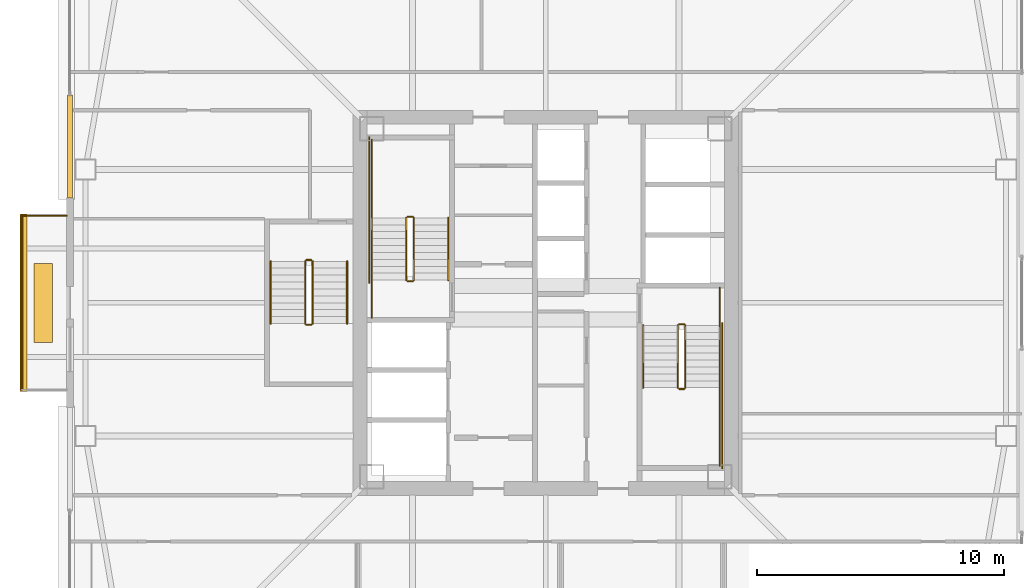
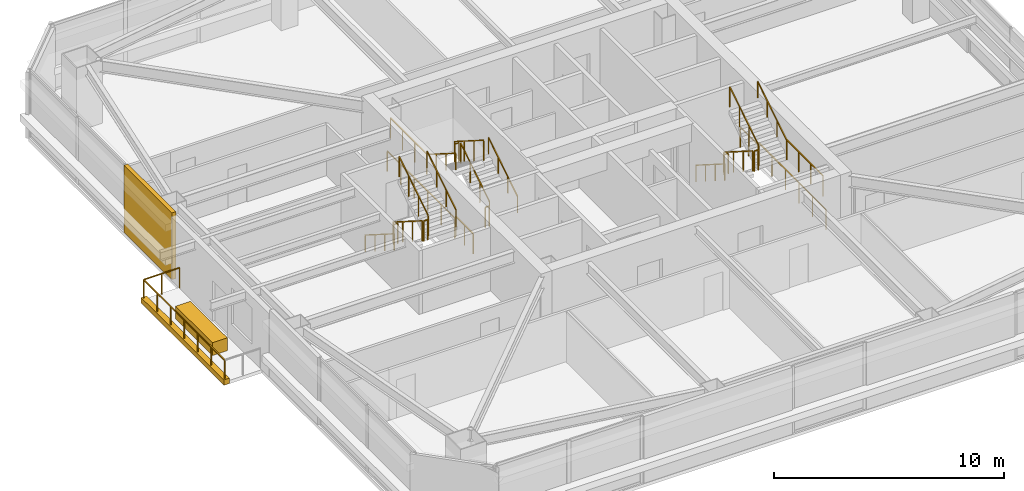
# One storey, part 40 of 44: 26 railings, 3 coverings.
"""IFC4 building model written with IfcOpenShell, lengths in metres."""

import ifcopenshell
import ifcopenshell.guid

model = None  # the IFC model being written
_history = None  # IfcOwnerHistory: only IFC2X3 demands one
_inside = {}  # id of a spatial element -> (the spatial element, [elements in it])
_under = {}  # id of a project, library or spatial element -> (it, [spatial elements below it])
_declared = {}  # id of a project -> (the project, [libraries it declares])
_typed = {}  # id of a type object -> (the type object, [elements of that type])
_made_of = {}  # id of a material, layer set ... -> (it, [elements and type objects made of it])


def new_model(schema):
    """Start an empty IFC model of exactly this schema.

    Asked for "IFC4X3", IfcOpenShell would pick the latest addendum, in which some entities
    have other attributes; the version numbers below select the first issue.
    IFC2X3 requires an IfcOwnerHistory on every rooted entity: one is made here for all.
    """
    global model, _history
    if schema == "IFC4X3":
        model = ifcopenshell.file(schema_version=(4, 3, 0, 0))
    else:
        model = ifcopenshell.file(schema=schema)
    _inside.clear()
    _under.clear()
    _declared.clear()
    _typed.clear()
    _made_of.clear()
    _history = None
    if model.schema == "IFC2X3":
        org = make("IfcOrganization", Name="unknown")
        user = make(
            "IfcPersonAndOrganization",
            ThePerson=make("IfcPerson", FamilyName="unknown"),
            TheOrganization=org,
        )
        app = make(
            "IfcApplication",
            ApplicationDeveloper=org,
            Version="unknown",
            ApplicationFullName="unknown",
            ApplicationIdentifier="unknown",
        )
        _history = make(
            "IfcOwnerHistory",
            OwningUser=user,
            OwningApplication=app,
            ChangeAction="ADDED",
            CreationDate=0,
        )
    return model


def make(cls, **values):
    """One entity of the class cls with the attributes given. An attribute that is None is left unset."""
    return model.create_entity(
        cls, **{name: value for name, value in values.items() if value is not None}
    )


def rooted(cls, **values):
    """An entity with a GlobalId (a new one), such as an element, a storey or a relation."""
    return make(cls, GlobalId=ifcopenshell.guid.new(), OwnerHistory=_history, **values)


def si_unit(unit_type, name, prefix=None):
    """IfcSIUnit, for example si_unit("LENGTHUNIT", "METRE", prefix="MILLI")."""
    return make("IfcSIUnit", UnitType=unit_type, Prefix=prefix, Name=name)


def assignment(units):
    """IfcUnitAssignment: the units of a project."""
    return None if units is None else make("IfcUnitAssignment", Units=units)


def point(xyz):
    """IfcCartesianPoint."""
    return None if xyz is None else make("IfcCartesianPoint", Coordinates=xyz)


def direction(xyz):
    """IfcDirection."""
    return None if xyz is None else make("IfcDirection", DirectionRatios=xyz)


def frame(location, z_axis=None, x_axis=None):
    """IfcAxis2Placement3D, a coordinate frame: its origin and axes. An axis left out is left unset."""
    return make(
        "IfcAxis2Placement3D",
        Location=point(location),
        Axis=direction(z_axis),
        RefDirection=direction(x_axis),
    )


def frame_2d(location, x_axis=None):
    """IfcAxis2Placement2D, a coordinate frame in the plane: its origin and x axis."""
    return make(
        "IfcAxis2Placement2D", Location=point(location), RefDirection=direction(x_axis)
    )


def origin():
    """The frame at (0, 0, 0) with its axes left unset."""
    return frame((0.0, 0.0, 0.0))


def origin_2d():
    """The frame at (0, 0) in the plane with its x axis left unset."""
    return frame_2d((0.0, 0.0))


def place(relative_to, where):
    """IfcLocalPlacement: puts the frame where relative to a parent placement (None: the world)."""
    return make(
        "IfcLocalPlacement", PlacementRelTo=relative_to, RelativePlacement=where
    )


def context(
    kind, dimensions, precision=None, world=None, true_north=None, identifier=None
):
    """IfcGeometricRepresentationContext, for example the 3D "Model" context."""
    return make(
        "IfcGeometricRepresentationContext",
        ContextIdentifier=identifier,
        ContextType=kind,
        CoordinateSpaceDimension=dimensions,
        Precision=precision,
        WorldCoordinateSystem=world,
        TrueNorth=true_north,
    )


def subcontext(parent, identifier, kind, view, scale=None):
    """IfcGeometricRepresentationSubContext, for example "Body" below "Model"."""
    return make(
        "IfcGeometricRepresentationSubContext",
        ContextIdentifier=identifier,
        ContextType=kind,
        ParentContext=parent,
        TargetScale=scale,
        TargetView=view,
    )


def project(units=None, contexts=None):
    """IfcProject with its units and contexts."""
    return rooted(
        "IfcProject",
        Name="project",
        RepresentationContexts=contexts,
        UnitsInContext=assignment(units),
    )


def spatial(cls, under=None, at=None, **own):
    """A site, building, storey or space (cls), placed at a placement, below another one or the project."""
    s = rooted(cls, ObjectPlacement=at, **own)
    if under is not None:
        _under.setdefault(under.id(), (under, []))[1].append(s)
    return s


def profile(cls, at=None, kind="AREA", **sizes):
    """A parametric profile (cls). Its sizes go by their IFC names, for example OverallWidth=200.0."""
    return make(cls, ProfileType=kind, Position=at, **sizes)


def rectangle(**sizes):
    """IfcRectangleProfileDef."""
    return profile("IfcRectangleProfileDef", **sizes)


def extrude(swept, where, along, depth):
    """IfcExtrudedAreaSolid: the profile swept, set in the frame where, extruded along a direction by depth."""
    return make(
        "IfcExtrudedAreaSolid",
        SweptArea=swept,
        Position=where,
        ExtrudedDirection=direction(along),
        Depth=depth,
    )


def shape(context_of_items, identifier, shape_type, items):
    """IfcShapeRepresentation: the items that make up one representation, for example the "Body"."""
    return make(
        "IfcShapeRepresentation",
        ContextOfItems=context_of_items,
        RepresentationIdentifier=identifier,
        RepresentationType=shape_type,
        Items=items,
    )


def material(Name=None, Category=None):
    """IfcMaterial."""
    return make("IfcMaterial", Name=Name, Category=Category)


def layer(
    of_material, thickness, ventilated=None, Name=None, Category=None, Priority=None
):
    """IfcMaterialLayer: one layer of a wall or slab, of a material (None: an air gap)."""
    return make(
        "IfcMaterialLayer",
        Material=of_material,
        LayerThickness=thickness,
        IsVentilated=ventilated,
        Name=Name,
        Category=Category,
        Priority=Priority,
    )


def layer_set(layers, Name=None):
    """IfcMaterialLayerSet."""
    return make("IfcMaterialLayerSet", MaterialLayers=layers, LayerSetName=Name)


def made_of(thing, what):
    """Note that an element or type object is made of a material, layer set ...; save() writes the relation."""
    if what is not None:
        _made_of.setdefault(what.id(), (what, []))[1].append(thing)
    return thing


def type_object(cls, material=None, **own):
    """A type object (cls), such as IfcWallType, which elements share."""
    return made_of(rooted(cls, **own), material)


def element(
    cls,
    number,
    at=None,
    inside=None,
    cuts=None,
    type_object=None,
    material=None,
    context=None,
    identifier="Body",
    shape_type=None,
    held_by="IfcProductDefinitionShape",
    body=None,
    shapes=None,
    **own,
):
    """One element of the class cls, such as IfcWall. Its Tag is "e" and its number.

    at: its placement. inside: the storey or other place that contains it. cuts: it is an
    opening in that element (IfcRelVoidsElement). A single representation is given by context,
    identifier, shape_type and body (its items); several are given by shapes. held_by: the class
    of the entity that holds the representations. save() writes the other relations.
    """
    e = rooted(cls, Tag="e%d" % number, ObjectPlacement=at, **own)
    if body is not None:
        shapes = [shape(context, identifier, shape_type, body)]
    if shapes is not None:
        e.Representation = make(held_by, Representations=shapes)
    if inside is not None:
        _inside.setdefault(inside.id(), (inside, []))[1].append(e)
    if cuts is not None:
        rooted(
            "IfcRelVoidsElement", RelatingBuildingElement=cuts, RelatedOpeningElement=e
        )
    if type_object is not None:
        _typed.setdefault(type_object.id(), (type_object, []))[1].append(e)
    return made_of(e, material)


def aggregate(whole, parts):
    """IfcRelAggregates: a whole, such as a stair, and the parts it consists of."""
    return rooted("IfcRelAggregates", RelatingObject=whole, RelatedObjects=parts)


def save(model, path):
    """Write the relations noted so far, then the file.

    IfcRelAggregates (storeys below a building ...), IfcRelContainedInSpatialStructure (elements
    in a storey), IfcRelDefinesByType, IfcRelAssociatesMaterial and IfcRelDeclares: one each for
    every whole, place, type object, material and project.
    """
    for whole, parts in _under.values():
        aggregate(whole, parts)
    for where, things in _inside.values():
        rooted(
            "IfcRelContainedInSpatialStructure",
            RelatedElements=things,
            RelatingStructure=where,
        )
    for kind, things in _typed.values():
        rooted("IfcRelDefinesByType", RelatedObjects=things, RelatingType=kind)
    for what, things in _made_of.values():
        rooted("IfcRelAssociatesMaterial", RelatedObjects=things, RelatingMaterial=what)
    for by, libraries in _declared.values():
        rooted("IfcRelDeclares", RelatingContext=by, RelatedDefinitions=libraries)
    model.write(path)


model = new_model("IFC4")

# Units and contexts
model_context = context("Model", 3, precision=1e-05, world=origin(), true_north=direction((0.0, 1.0)))
body_context = subcontext(model_context, "Body", "Model", "MODEL_VIEW")
ifc_project = project(units=[si_unit("LENGTHUNIT", "METRE"), si_unit("AREAUNIT", "SQUARE_METRE"), si_unit("VOLUMEUNIT", "CUBIC_METRE"), si_unit("PLANEANGLEUNIT", "RADIAN"), si_unit("MASSUNIT", "GRAM", prefix="KILO")], contexts=[model_context])

# Site, building, storey
site_placement = place(None, origin())
site = spatial("IfcSite", under=ifc_project, at=site_placement, CompositionType="ELEMENT")
building_placement = place(site_placement, origin())
building = spatial("IfcBuilding", under=site, at=building_placement, Name="Tashvorn Skyway Center", CompositionType="ELEMENT")
storey_placement = place(building_placement, frame((0.0, 0.0, 128.60009765625)))
storey = spatial("IfcBuildingStorey", under=building, at=storey_placement, Name="L34", CompositionType="ELEMENT", Elevation=128.60009765625)

# Coverings
ifc_material_1 = material(Name="Precast concrete C40/50", Category="concrete")
ifc_layer_1 = layer(ifc_material_1, 0.199951171875)
ifc_layer_set_1 = layer_set([ifc_layer_1], Name="Precast concrete C40/50")
covering_type_1 = type_object("IfcCoveringType", Name="COV-BRACE-CLAD", PredefinedType="CLADDING", material=ifc_layer_set_1)
covering_1_placement = place(storey_placement, frame((22.719970703125, 38.33837890625, 0.0), z_axis=(0.0, 0.0, 1.0), x_axis=(0.0, 1.0, 0.0)))
element("IfcCovering", 1, at=covering_1_placement, inside=storey, type_object=covering_type_1, Name="Tower 1 L34 West Curtain Wall R Mega-Brace Cladding Band 1", PredefinedType="CLADDING", context=body_context, shape_type="SweptSolid", body=[
    extrude(rectangle(XDim=4.1767578125, YDim=0.199951171875, at=origin_2d()), origin(), (0.0, 0.0, 1.0), 3.550048828125),
])
ifc_layer_2 = layer(ifc_material_1, 0.35009765625)
ifc_layer_set_2 = layer_set([ifc_layer_2], Name="Precast concrete C40/50")
covering_type_2 = type_object("IfcCoveringType", Name="COV-STONE-TRIM", PredefinedType="CLADDING", material=ifc_layer_set_2)
covering_2_placement = place(storey_placement, frame((20.840087890625, 32.0, -0.16015625), z_axis=(0.0, 0.0, 1.0), x_axis=(0.0, 1.0, 0.0)))
element("IfcCovering", 2, at=covering_2_placement, inside=storey, type_object=covering_type_2, Name="Tower 1 L34 Spiral Terrace Terracotta Fascia", PredefinedType="CLADDING", context=body_context, shape_type="SweptSolid", body=[
    extrude(rectangle(XDim=7.199951171875, YDim=0.280029296875, at=origin_2d()), origin(), (0.0, 0.0, 1.0), 0.280029296875),
])
covering_3_placement = place(storey_placement, frame((21.64990234375, 32.0, 0.0), z_axis=(0.0, 0.0, 1.0), x_axis=(0.0, 1.0, 0.0)))
element("IfcCovering", 3, at=covering_3_placement, inside=storey, type_object=covering_type_2, Name="Tower 1 L34 Spiral Terrace Planter", PredefinedType="CLADDING", context=body_context, shape_type="SweptSolid", body=[
    extrude(rectangle(XDim=3.199951171875, YDim=0.75, at=origin_2d()), origin(), (0.0, 0.0, 1.0), 0.679931640625),
])

# Railings
ifc_material_2 = material(Name="Galvanized steel S355", Category="steel")
railing_type_1 = type_object("IfcRailingType", Name="RAIL-GUARD-1120", PredefinedType="GUARDRAIL", material=ifc_material_2)
railing_1_placement = place(storey_placement, frame((20.780029296875, 28.47998046875, 0.0)))
element("IfcRailing", 4, at=railing_1_placement, inside=storey, type_object=railing_type_1, Name="L34 Tower 1 Terrace Guardrail 02", PredefinedType="GUARDRAIL", context=body_context, shape_type="SweptSolid", body=[
    extrude(rectangle(XDim=0.048095703125, YDim=0.048095703125, at=origin_2d()), frame((0.0, 0.0, 1.09619140625), z_axis=(0.0, 1.0, 0.0), x_axis=(-1.0, 0.0, 0.0)), (0.0, 0.0, 1.0), 7.0400390625),
    extrude(rectangle(XDim=0.0419921875, YDim=0.0419921875, at=origin_2d()), origin(), (0.0, 0.0, 1.0), 1.072021484375),
    extrude(rectangle(XDim=0.0419921875, YDim=0.0419921875, at=origin_2d()), frame((0.0, 1.17333984375, 0.0)), (0.0, 0.0, 1.0), 1.072021484375),
    extrude(rectangle(XDim=0.0419921875, YDim=0.0419921875, at=origin_2d()), frame((0.0, 2.3466796875, 0.0)), (0.0, 0.0, 1.0), 1.072021484375),
    extrude(rectangle(XDim=0.0419921875, YDim=0.0419921875, at=origin_2d()), frame((0.0, 3.52001953125, 0.0)), (0.0, 0.0, 1.0), 1.072021484375),
    extrude(rectangle(XDim=0.0419921875, YDim=0.0419921875, at=origin_2d()), frame((0.0, 4.693359375, 0.0)), (0.0, 0.0, 1.0), 1.072021484375),
    extrude(rectangle(XDim=0.0419921875, YDim=0.0419921875, at=origin_2d()), frame((0.0, 5.86669921875, 0.0)), (0.0, 0.0, 1.0), 1.072021484375),
    extrude(rectangle(XDim=0.0419921875, YDim=0.0419921875, at=origin_2d()), frame((0.0, 7.0400390625, 0.0)), (0.0, 0.0, 1.0), 1.072021484375),
])
railing_2_placement = place(storey_placement, frame((20.780029296875, 35.52001953125, 0.0)))
element("IfcRailing", 5, at=railing_2_placement, inside=storey, type_object=railing_type_1, Name="L34 Tower 1 Terrace Guardrail 03", PredefinedType="GUARDRAIL", context=body_context, shape_type="SweptSolid", body=[
    extrude(rectangle(XDim=0.048095703125, YDim=0.048095703125, at=origin_2d()), frame((0.0, 0.0, 1.09619140625), z_axis=(1.0, 0.0, 0.0), x_axis=(0.0, 1.0, 0.0)), (0.0, 0.0, 1.0), 1.820068359375),
    extrude(rectangle(XDim=0.0419921875, YDim=0.0419921875, at=origin_2d()), origin(), (0.0, 0.0, 1.0), 1.072021484375),
    extrude(rectangle(XDim=0.0419921875, YDim=0.0419921875, at=origin_2d()), frame((0.91015625, 0.0, 0.0)), (0.0, 0.0, 1.0), 1.072021484375),
    extrude(rectangle(XDim=0.0419921875, YDim=0.0419921875, at=origin_2d()), frame((1.820068359375, 0.0, 0.0)), (0.0, 0.0, 1.0), 1.072021484375),
])
ifc_material_3 = material(Name="Brushed stainless steel 316", Category="steel")
railing_type_2 = type_object("IfcRailingType", Name="RAIL-HAND-920", PredefinedType="HANDRAIL", material=ifc_material_3)
railing_3_placement = place(storey_placement, frame((38.050048828125, 32.919921875, 0.177490234375)))
element("IfcRailing", 6, at=railing_3_placement, inside=storey, type_object=railing_type_2, Name="L34 ST-T1-1 stair handrail 1", PredefinedType="HANDRAIL", context=body_context, shape_type="SweptSolid", body=[
    extrude(rectangle(XDim=0.048095703125, YDim=0.048095703125, at=origin_2d()), frame((0.0, 0.0, 0.8759765625), z_axis=(0.0, 0.84460694969, 0.535386869969), x_axis=(-1.0, 0.0, 0.0)), (0.0, 0.0, 1.0), 2.983642578125),
    extrude(rectangle(XDim=0.0419921875, YDim=0.0419921875, at=origin_2d()), origin(), (0.0, 0.0, 1.0), 0.851806640625),
    extrude(rectangle(XDim=0.0419921875, YDim=0.0419921875, at=origin_2d()), frame((0.0, 0.840087890625, 0.532470703125)), (0.0, 0.0, 1.0), 0.851806640625),
    extrude(rectangle(XDim=0.0419921875, YDim=0.0419921875, at=origin_2d()), frame((0.0, 1.679931640625, 1.06494140625)), (0.0, 0.0, 1.0), 0.851806640625),
    extrude(rectangle(XDim=0.0419921875, YDim=0.0419921875, at=origin_2d()), frame((0.0, 2.52001953125, 1.597412109375)), (0.0, 0.0, 1.0), 0.851806640625),
])
for number, where, name in (
    (7, (34.949951171875, 35.43994140625, 1.952392578125), "L34 ST-T1-1 stair handrail 2"),
    (8, (45.949951171875, 31.080078125, 0.177490234375), "L34 ST-T1-2 stair handrail 1"),
):
    element("IfcRailing", number, at=place(storey_placement, frame(where)), inside=storey, type_object=railing_type_2, Name=name, PredefinedType="HANDRAIL", context=body_context, shape_type="SweptSolid", body=[
        extrude(rectangle(XDim=0.048095703125, YDim=0.048095703125, at=origin_2d()), frame((0.0, 0.0, 0.8759765625), z_axis=(0.0, -0.84460694969, 0.535386869969), x_axis=(1.0, 0.0, 0.0)), (0.0, 0.0, 1.0), 2.983642578125),
        extrude(rectangle(XDim=0.0419921875, YDim=0.0419921875, at=origin_2d()), origin(), (0.0, 0.0, 1.0), 0.851806640625),
        extrude(rectangle(XDim=0.0419921875, YDim=0.0419921875, at=origin_2d()), frame((0.0, -0.840087890625, 0.532470703125)), (0.0, 0.0, 1.0), 0.851806640625),
        extrude(rectangle(XDim=0.0419921875, YDim=0.0419921875, at=origin_2d()), frame((0.0, -1.679931640625, 1.06494140625)), (0.0, 0.0, 1.0), 0.851806640625),
        extrude(rectangle(XDim=0.0419921875, YDim=0.0419921875, at=origin_2d()), frame((0.0, -2.52001953125, 1.597412109375)), (0.0, 0.0, 1.0), 0.851806640625),
    ])
railing_4_placement = place(storey_placement, frame((49.050048828125, 28.56005859375, 1.952392578125)))
element("IfcRailing", 9, at=railing_4_placement, inside=storey, type_object=railing_type_2, Name="L34 ST-T1-2 stair handrail 2", PredefinedType="HANDRAIL", context=body_context, shape_type="SweptSolid", body=[
    extrude(rectangle(XDim=0.048095703125, YDim=0.048095703125, at=origin_2d()), frame((0.0, 0.0, 0.8759765625), z_axis=(0.0, 0.84460694969, 0.535386869969), x_axis=(-1.0, 0.0, 0.0)), (0.0, 0.0, 1.0), 2.983642578125),
    extrude(rectangle(XDim=0.0419921875, YDim=0.0419921875, at=origin_2d()), origin(), (0.0, 0.0, 1.0), 0.851806640625),
    extrude(rectangle(XDim=0.0419921875, YDim=0.0419921875, at=origin_2d()), frame((0.0, 0.840087890625, 0.532470703125)), (0.0, 0.0, 1.0), 0.851806640625),
    extrude(rectangle(XDim=0.0419921875, YDim=0.0419921875, at=origin_2d()), frame((0.0, 1.679931640625, 1.06494140625)), (0.0, 0.0, 1.0), 0.851806640625),
    extrude(rectangle(XDim=0.0419921875, YDim=0.0419921875, at=origin_2d()), frame((0.0, 2.52001953125, 1.597412109375)), (0.0, 0.0, 1.0), 0.851806640625),
])
railing_5_placement = place(storey_placement, frame((30.85009765625, 33.679931640625, 0.177490234375)))
element("IfcRailing", 10, at=railing_5_placement, inside=storey, type_object=railing_type_2, Name="L34 ST-T1-3 stair handrail 1", PredefinedType="HANDRAIL", context=body_context, shape_type="SweptSolid", body=[
    extrude(rectangle(XDim=0.048095703125, YDim=0.048095703125, at=origin_2d()), frame((0.0, 0.0, 0.8759765625), z_axis=(0.0, -0.84460694969, 0.535386869969), x_axis=(1.0, 0.0, 0.0)), (0.0, 0.0, 1.0), 2.983642578125),
    extrude(rectangle(XDim=0.0419921875, YDim=0.0419921875, at=origin_2d()), origin(), (0.0, 0.0, 1.0), 0.851806640625),
    extrude(rectangle(XDim=0.0419921875, YDim=0.0419921875, at=origin_2d()), frame((0.0, -0.840087890625, 0.532470703125)), (0.0, 0.0, 1.0), 0.851806640625),
    extrude(rectangle(XDim=0.0419921875, YDim=0.0419921875, at=origin_2d()), frame((0.0, -1.679931640625, 1.06494140625)), (0.0, 0.0, 1.0), 0.851806640625),
    extrude(rectangle(XDim=0.0419921875, YDim=0.0419921875, at=origin_2d()), frame((0.0, -2.52001953125, 1.597412109375)), (0.0, 0.0, 1.0), 0.851806640625),
])
railing_6_placement = place(storey_placement, frame((33.949951171875, 31.159912109375, 1.952392578125)))
element("IfcRailing", 11, at=railing_6_placement, inside=storey, type_object=railing_type_2, Name="L34 ST-T1-3 stair handrail 2", PredefinedType="HANDRAIL", context=body_context, shape_type="SweptSolid", body=[
    extrude(rectangle(XDim=0.048095703125, YDim=0.048095703125, at=origin_2d()), frame((0.0, 0.0, 0.8759765625), z_axis=(0.0, 0.84460694969, 0.535386869969), x_axis=(-1.0, 0.0, 0.0)), (0.0, 0.0, 1.0), 2.983642578125),
    extrude(rectangle(XDim=0.0419921875, YDim=0.0419921875, at=origin_2d()), origin(), (0.0, 0.0, 1.0), 0.851806640625),
    extrude(rectangle(XDim=0.0419921875, YDim=0.0419921875, at=origin_2d()), frame((0.0, 0.840087890625, 0.532470703125)), (0.0, 0.0, 1.0), 0.851806640625),
    extrude(rectangle(XDim=0.0419921875, YDim=0.0419921875, at=origin_2d()), frame((0.0, 1.679931640625, 1.06494140625)), (0.0, 0.0, 1.0), 0.851806640625),
    extrude(rectangle(XDim=0.0419921875, YDim=0.0419921875, at=origin_2d()), frame((0.0, 2.52001953125, 1.597412109375)), (0.0, 0.0, 1.0), 0.851806640625),
])
ifc_material_4 = material(Name="Painted galvanized steel S355", Category="steel")
railing_type_3 = type_object("IfcRailingType", Name="RAIL-STGUARD-1100", PredefinedType="GUARDRAIL", material=ifc_material_4)
railing_7_placement = place(storey_placement, frame((36.64990234375, 32.919921875, 0.177490234375)))
element("IfcRailing", 12, at=railing_7_placement, inside=storey, type_object=railing_type_3, Name="L34 ST-T1-1 stair guard 1", PredefinedType="GUARDRAIL", context=body_context, shape_type="SweptSolid", body=[
    extrude(rectangle(XDim=0.048095703125, YDim=0.048095703125, at=origin_2d()), frame((0.0, 0.0, 1.076171875), z_axis=(0.0, 0.84460694969, 0.535386869969), x_axis=(-1.0, 0.0, 0.0)), (0.0, 0.0, 1.0), 2.983642578125),
    extrude(rectangle(XDim=0.0419921875, YDim=0.0419921875, at=origin_2d()), origin(), (0.0, 0.0, 1.0), 1.052001953125),
    extrude(rectangle(XDim=0.0419921875, YDim=0.0419921875, at=origin_2d()), frame((0.0, 0.840087890625, 0.532470703125)), (0.0, 0.0, 1.0), 1.052001953125),
    extrude(rectangle(XDim=0.0419921875, YDim=0.0419921875, at=origin_2d()), frame((0.0, 1.679931640625, 1.06494140625)), (0.0, 0.0, 1.0), 1.052001953125),
    extrude(rectangle(XDim=0.0419921875, YDim=0.0419921875, at=origin_2d()), frame((0.0, 2.52001953125, 1.597412109375)), (0.0, 0.0, 1.0), 1.052001953125),
])
railing_8_placement = place(storey_placement, frame((36.60009765625, 35.489990234375, 1.77490234375)))
element("IfcRailing", 13, at=railing_8_placement, inside=storey, type_object=railing_type_3, Name="L34 ST-T1-1 stair guard 2", PredefinedType="GUARDRAIL", context=body_context, shape_type="SweptSolid", body=[
    extrude(rectangle(XDim=0.048095703125, YDim=0.048095703125, at=origin_2d()), frame((0.0, 0.0, 1.076171875), z_axis=(-1.0, 0.0, 0.0), x_axis=(0.0, -1.0, 0.0)), (0.0, 0.0, 1.0), 0.2001953125),
    extrude(rectangle(XDim=0.0419921875, YDim=0.0419921875, at=origin_2d()), origin(), (0.0, 0.0, 1.0), 1.052001953125),
    extrude(rectangle(XDim=0.0419921875, YDim=0.0419921875, at=origin_2d()), frame((-0.2001953125, 0.0, 0.0)), (0.0, 0.0, 1.0), 1.052001953125),
])
railing_9_placement = place(storey_placement, frame((34.949951171875, 35.43994140625, 1.77490234375)))
element("IfcRailing", 14, at=railing_9_placement, inside=storey, type_object=railing_type_3, Name="L34 ST-T1-1 stair guard 3", PredefinedType="GUARDRAIL", context=body_context, shape_type="SweptSolid", body=[
    extrude(rectangle(XDim=0.048095703125, YDim=0.048095703125, at=origin_2d()), frame((0.0, 0.0, 1.076171875), z_axis=(0.0, 1.0, 0.0), x_axis=(-1.0, 0.0, 0.0)), (0.0, 0.0, 1.0), 3.16015625),
    extrude(rectangle(XDim=0.0419921875, YDim=0.0419921875, at=origin_2d()), origin(), (0.0, 0.0, 1.0), 1.052001953125),
    extrude(rectangle(XDim=0.0419921875, YDim=0.0419921875, at=origin_2d()), frame((0.0, 1.053466796875, 0.0)), (0.0, 0.0, 1.0), 1.052001953125),
    extrude(rectangle(XDim=0.0419921875, YDim=0.0419921875, at=origin_2d()), frame((0.0, 2.106689453125, 0.0)), (0.0, 0.0, 1.0), 1.052001953125),
    extrude(rectangle(XDim=0.0419921875, YDim=0.0419921875, at=origin_2d()), frame((0.0, 3.16015625, 0.0)), (0.0, 0.0, 1.0), 1.052001953125),
])
railing_10_placement = place(storey_placement, frame((36.35009765625, 35.43994140625, 1.952392578125)))
element("IfcRailing", 15, at=railing_10_placement, inside=storey, type_object=railing_type_3, Name="L34 ST-T1-1 stair guard 4", PredefinedType="GUARDRAIL", context=body_context, shape_type="SweptSolid", body=[
    extrude(rectangle(XDim=0.048095703125, YDim=0.048095703125, at=origin_2d()), frame((0.0, 0.0, 1.076171875), z_axis=(0.0, -0.84460694969, 0.535386869969), x_axis=(1.0, 0.0, 0.0)), (0.0, 0.0, 1.0), 2.983642578125),
    extrude(rectangle(XDim=0.0419921875, YDim=0.0419921875, at=origin_2d()), origin(), (0.0, 0.0, 1.0), 1.052001953125),
    extrude(rectangle(XDim=0.0419921875, YDim=0.0419921875, at=origin_2d()), frame((0.0, -0.840087890625, 0.532470703125)), (0.0, 0.0, 1.0), 1.052001953125),
    extrude(rectangle(XDim=0.0419921875, YDim=0.0419921875, at=origin_2d()), frame((0.0, -1.679931640625, 1.06494140625)), (0.0, 0.0, 1.0), 1.052001953125),
    extrude(rectangle(XDim=0.0419921875, YDim=0.0419921875, at=origin_2d()), frame((0.0, -2.52001953125, 1.597412109375)), (0.0, 0.0, 1.0), 1.052001953125),
])
railing_11_placement = place(storey_placement, frame((36.60009765625, 32.8701171875, 0.0)))
element("IfcRailing", 16, at=railing_11_placement, inside=storey, type_object=railing_type_3, Name="L34 ST-T1-1 stair guard 5", PredefinedType="GUARDRAIL", context=body_context, shape_type="SweptSolid", body=[
    extrude(rectangle(XDim=0.048095703125, YDim=0.048095703125, at=origin_2d()), frame((0.0, 0.0, 1.076171875), z_axis=(-1.0, 0.0, 0.0), x_axis=(0.0, -1.0, 0.0)), (0.0, 0.0, 1.0), 0.2001953125),
    extrude(rectangle(XDim=0.0419921875, YDim=0.0419921875, at=origin_2d()), origin(), (0.0, 0.0, 1.0), 1.052001953125),
    extrude(rectangle(XDim=0.0419921875, YDim=0.0419921875, at=origin_2d()), frame((-0.2001953125, 0.0, 0.0)), (0.0, 0.0, 1.0), 1.052001953125),
])
railing_12_placement = place(storey_placement, frame((34.949951171875, 31.39990234375, 0.0)))
element("IfcRailing", 17, at=railing_12_placement, inside=storey, type_object=railing_type_3, Name="L34 ST-T1-1 stair guard 6", PredefinedType="GUARDRAIL", context=body_context, shape_type="SweptSolid", body=[
    extrude(rectangle(XDim=0.048095703125, YDim=0.048095703125, at=origin_2d()), frame((0.0, 0.0, 1.076171875), z_axis=(0.0, 1.0, 0.0), x_axis=(-1.0, 0.0, 0.0)), (0.0, 0.0, 1.0), 1.52001953125),
    extrude(rectangle(XDim=0.0419921875, YDim=0.0419921875, at=origin_2d()), origin(), (0.0, 0.0, 1.0), 1.052001953125),
    extrude(rectangle(XDim=0.0419921875, YDim=0.0419921875, at=origin_2d()), frame((0.0, 0.760009765625, 0.0)), (0.0, 0.0, 1.0), 1.052001953125),
    extrude(rectangle(XDim=0.0419921875, YDim=0.0419921875, at=origin_2d()), frame((0.0, 1.52001953125, 0.0)), (0.0, 0.0, 1.0), 1.052001953125),
])
railing_13_placement = place(storey_placement, frame((34.85009765625, 32.820068359375, 0.0)))
element("IfcRailing", 18, at=railing_13_placement, inside=storey, type_object=railing_type_3, Name="L34 ST-T1-1 stair guard 7", PredefinedType="GUARDRAIL", context=body_context, shape_type="SweptSolid", body=[
    extrude(rectangle(XDim=0.048095703125, YDim=0.048095703125, at=origin_2d()), frame((0.0, 0.0, 1.076171875), z_axis=(0.0, 1.0, 0.0), x_axis=(-1.0, 0.0, 0.0)), (0.0, 0.0, 1.0), 5.8798828125),
    extrude(rectangle(XDim=0.0419921875, YDim=0.0419921875, at=origin_2d()), origin(), (0.0, 0.0, 1.0), 1.052001953125),
    extrude(rectangle(XDim=0.0419921875, YDim=0.0419921875, at=origin_2d()), frame((0.0, 1.176025390625, 0.0)), (0.0, 0.0, 1.0), 1.052001953125),
    extrude(rectangle(XDim=0.0419921875, YDim=0.0419921875, at=origin_2d()), frame((0.0, 2.35205078125, 0.0)), (0.0, 0.0, 1.0), 1.052001953125),
    extrude(rectangle(XDim=0.0419921875, YDim=0.0419921875, at=origin_2d()), frame((0.0, 3.52783203125, 0.0)), (0.0, 0.0, 1.0), 1.052001953125),
    extrude(rectangle(XDim=0.0419921875, YDim=0.0419921875, at=origin_2d()), frame((0.0, 4.703857421875, 0.0)), (0.0, 0.0, 1.0), 1.052001953125),
    extrude(rectangle(XDim=0.0419921875, YDim=0.0419921875, at=origin_2d()), frame((0.0, 5.8798828125, 0.0)), (0.0, 0.0, 1.0), 1.052001953125),
])
railing_14_placement = place(storey_placement, frame((47.35009765625, 31.080078125, 0.177490234375)))
element("IfcRailing", 19, at=railing_14_placement, inside=storey, type_object=railing_type_3, Name="L34 ST-T1-2 stair guard 1", PredefinedType="GUARDRAIL", context=body_context, shape_type="SweptSolid", body=[
    extrude(rectangle(XDim=0.048095703125, YDim=0.048095703125, at=origin_2d()), frame((0.0, 0.0, 1.076171875), z_axis=(0.0, -0.84460694969, 0.535386869969), x_axis=(1.0, 0.0, 0.0)), (0.0, 0.0, 1.0), 2.983642578125),
    extrude(rectangle(XDim=0.0419921875, YDim=0.0419921875, at=origin_2d()), origin(), (0.0, 0.0, 1.0), 1.052001953125),
    extrude(rectangle(XDim=0.0419921875, YDim=0.0419921875, at=origin_2d()), frame((0.0, -0.840087890625, 0.532470703125)), (0.0, 0.0, 1.0), 1.052001953125),
    extrude(rectangle(XDim=0.0419921875, YDim=0.0419921875, at=origin_2d()), frame((0.0, -1.679931640625, 1.06494140625)), (0.0, 0.0, 1.0), 1.052001953125),
    extrude(rectangle(XDim=0.0419921875, YDim=0.0419921875, at=origin_2d()), frame((0.0, -2.52001953125, 1.597412109375)), (0.0, 0.0, 1.0), 1.052001953125),
])
railing_15_placement = place(storey_placement, frame((47.39990234375, 28.510009765625, 1.77490234375)))
element("IfcRailing", 20, at=railing_15_placement, inside=storey, type_object=railing_type_3, Name="L34 ST-T1-2 stair guard 2", PredefinedType="GUARDRAIL", context=body_context, shape_type="SweptSolid", body=[
    extrude(rectangle(XDim=0.048095703125, YDim=0.048095703125, at=origin_2d()), frame((0.0, 0.0, 1.076171875), z_axis=(1.0, 0.0, 0.0), x_axis=(0.0, 1.0, 0.0)), (0.0, 0.0, 1.0), 0.2001953125),
    extrude(rectangle(XDim=0.0419921875, YDim=0.0419921875, at=origin_2d()), origin(), (0.0, 0.0, 1.0), 1.052001953125),
    extrude(rectangle(XDim=0.0419921875, YDim=0.0419921875, at=origin_2d()), frame((0.2001953125, 0.0, 0.0)), (0.0, 0.0, 1.0), 1.052001953125),
])
railing_16_placement = place(storey_placement, frame((49.050048828125, 28.56005859375, 1.77490234375)))
element("IfcRailing", 21, at=railing_16_placement, inside=storey, type_object=railing_type_3, Name="L34 ST-T1-2 stair guard 3", PredefinedType="GUARDRAIL", context=body_context, shape_type="SweptSolid", body=[
    extrude(rectangle(XDim=0.048095703125, YDim=0.048095703125, at=origin_2d()), frame((0.0, 0.0, 1.076171875), z_axis=(0.0, -1.0, 0.0), x_axis=(1.0, 0.0, 0.0)), (0.0, 0.0, 1.0), 3.16015625),
    extrude(rectangle(XDim=0.0419921875, YDim=0.0419921875, at=origin_2d()), origin(), (0.0, 0.0, 1.0), 1.052001953125),
    extrude(rectangle(XDim=0.0419921875, YDim=0.0419921875, at=origin_2d()), frame((0.0, -1.053466796875, 0.0)), (0.0, 0.0, 1.0), 1.052001953125),
    extrude(rectangle(XDim=0.0419921875, YDim=0.0419921875, at=origin_2d()), frame((0.0, -2.106689453125, 0.0)), (0.0, 0.0, 1.0), 1.052001953125),
    extrude(rectangle(XDim=0.0419921875, YDim=0.0419921875, at=origin_2d()), frame((0.0, -3.16015625, 0.0)), (0.0, 0.0, 1.0), 1.052001953125),
])
railing_17_placement = place(storey_placement, frame((47.64990234375, 28.56005859375, 1.952392578125)))
element("IfcRailing", 22, at=railing_17_placement, inside=storey, type_object=railing_type_3, Name="L34 ST-T1-2 stair guard 4", PredefinedType="GUARDRAIL", context=body_context, shape_type="SweptSolid", body=[
    extrude(rectangle(XDim=0.048095703125, YDim=0.048095703125, at=origin_2d()), frame((0.0, 0.0, 1.076171875), z_axis=(0.0, 0.84460694969, 0.535386869969), x_axis=(-1.0, 0.0, 0.0)), (0.0, 0.0, 1.0), 2.983642578125),
    extrude(rectangle(XDim=0.0419921875, YDim=0.0419921875, at=origin_2d()), origin(), (0.0, 0.0, 1.0), 1.052001953125),
    extrude(rectangle(XDim=0.0419921875, YDim=0.0419921875, at=origin_2d()), frame((0.0, 0.840087890625, 0.532470703125)), (0.0, 0.0, 1.0), 1.052001953125),
    extrude(rectangle(XDim=0.0419921875, YDim=0.0419921875, at=origin_2d()), frame((0.0, 1.679931640625, 1.06494140625)), (0.0, 0.0, 1.0), 1.052001953125),
    extrude(rectangle(XDim=0.0419921875, YDim=0.0419921875, at=origin_2d()), frame((0.0, 2.52001953125, 1.597412109375)), (0.0, 0.0, 1.0), 1.052001953125),
])
railing_18_placement = place(storey_placement, frame((47.39990234375, 31.1298828125, 0.0)))
element("IfcRailing", 23, at=railing_18_placement, inside=storey, type_object=railing_type_3, Name="L34 ST-T1-2 stair guard 5", PredefinedType="GUARDRAIL", context=body_context, shape_type="SweptSolid", body=[
    extrude(rectangle(XDim=0.048095703125, YDim=0.048095703125, at=origin_2d()), frame((0.0, 0.0, 1.076171875), z_axis=(1.0, 0.0, 0.0), x_axis=(0.0, 1.0, 0.0)), (0.0, 0.0, 1.0), 0.2001953125),
    extrude(rectangle(XDim=0.0419921875, YDim=0.0419921875, at=origin_2d()), origin(), (0.0, 0.0, 1.0), 1.052001953125),
    extrude(rectangle(XDim=0.0419921875, YDim=0.0419921875, at=origin_2d()), frame((0.2001953125, 0.0, 0.0)), (0.0, 0.0, 1.0), 1.052001953125),
])
railing_19_placement = place(storey_placement, frame((49.050048828125, 32.60009765625, 0.0)))
element("IfcRailing", 24, at=railing_19_placement, inside=storey, type_object=railing_type_3, Name="L34 ST-T1-2 stair guard 6", PredefinedType="GUARDRAIL", context=body_context, shape_type="SweptSolid", body=[
    extrude(rectangle(XDim=0.048095703125, YDim=0.048095703125, at=origin_2d()), frame((0.0, 0.0, 1.076171875), z_axis=(0.0, -1.0, 0.0), x_axis=(1.0, 0.0, 0.0)), (0.0, 0.0, 1.0), 1.52001953125),
    extrude(rectangle(XDim=0.0419921875, YDim=0.0419921875, at=origin_2d()), origin(), (0.0, 0.0, 1.0), 1.052001953125),
    extrude(rectangle(XDim=0.0419921875, YDim=0.0419921875, at=origin_2d()), frame((0.0, -0.760009765625, 0.0)), (0.0, 0.0, 1.0), 1.052001953125),
    extrude(rectangle(XDim=0.0419921875, YDim=0.0419921875, at=origin_2d()), frame((0.0, -1.52001953125, 0.0)), (0.0, 0.0, 1.0), 1.052001953125),
])
railing_20_placement = place(storey_placement, frame((49.14990234375, 31.179931640625, 0.0)))
element("IfcRailing", 25, at=railing_20_placement, inside=storey, type_object=railing_type_3, Name="L34 ST-T1-2 stair guard 7", PredefinedType="GUARDRAIL", context=body_context, shape_type="SweptSolid", body=[
    extrude(rectangle(XDim=0.048095703125, YDim=0.048095703125, at=origin_2d()), frame((0.0, 0.0, 1.076171875), z_axis=(0.0, -1.0, 0.0), x_axis=(1.0, 0.0, 0.0)), (0.0, 0.0, 1.0), 5.8798828125),
    extrude(rectangle(XDim=0.0419921875, YDim=0.0419921875, at=origin_2d()), origin(), (0.0, 0.0, 1.0), 1.052001953125),
    extrude(rectangle(XDim=0.0419921875, YDim=0.0419921875, at=origin_2d()), frame((0.0, -1.176025390625, 0.0)), (0.0, 0.0, 1.0), 1.052001953125),
    extrude(rectangle(XDim=0.0419921875, YDim=0.0419921875, at=origin_2d()), frame((0.0, -2.35205078125, 0.0)), (0.0, 0.0, 1.0), 1.052001953125),
    extrude(rectangle(XDim=0.0419921875, YDim=0.0419921875, at=origin_2d()), frame((0.0, -3.52783203125, 0.0)), (0.0, 0.0, 1.0), 1.052001953125),
    extrude(rectangle(XDim=0.0419921875, YDim=0.0419921875, at=origin_2d()), frame((0.0, -4.703857421875, 0.0)), (0.0, 0.0, 1.0), 1.052001953125),
    extrude(rectangle(XDim=0.0419921875, YDim=0.0419921875, at=origin_2d()), frame((0.0, -5.8798828125, 0.0)), (0.0, 0.0, 1.0), 1.052001953125),
])
railing_21_placement = place(storey_placement, frame((32.25, 33.679931640625, 0.177490234375)))
element("IfcRailing", 26, at=railing_21_placement, inside=storey, type_object=railing_type_3, Name="L34 ST-T1-3 stair guard 1", PredefinedType="GUARDRAIL", context=body_context, shape_type="SweptSolid", body=[
    extrude(rectangle(XDim=0.048095703125, YDim=0.048095703125, at=origin_2d()), frame((0.0, 0.0, 1.076171875), z_axis=(0.0, -0.84460694969, 0.535386869969), x_axis=(1.0, 0.0, 0.0)), (0.0, 0.0, 1.0), 2.983642578125),
    extrude(rectangle(XDim=0.0419921875, YDim=0.0419921875, at=origin_2d()), origin(), (0.0, 0.0, 1.0), 1.052001953125),
    extrude(rectangle(XDim=0.0419921875, YDim=0.0419921875, at=origin_2d()), frame((0.0, -0.840087890625, 0.532470703125)), (0.0, 0.0, 1.0), 1.052001953125),
    extrude(rectangle(XDim=0.0419921875, YDim=0.0419921875, at=origin_2d()), frame((0.0, -1.679931640625, 1.06494140625)), (0.0, 0.0, 1.0), 1.052001953125),
    extrude(rectangle(XDim=0.0419921875, YDim=0.0419921875, at=origin_2d()), frame((0.0, -2.52001953125, 1.597412109375)), (0.0, 0.0, 1.0), 1.052001953125),
])
railing_22_placement = place(storey_placement, frame((32.300048828125, 31.110107421875, 1.77490234375)))
element("IfcRailing", 27, at=railing_22_placement, inside=storey, type_object=railing_type_3, Name="L34 ST-T1-3 stair guard 2", PredefinedType="GUARDRAIL", context=body_context, shape_type="SweptSolid", body=[
    extrude(rectangle(XDim=0.048095703125, YDim=0.048095703125, at=origin_2d()), frame((0.0, 0.0, 1.076171875), z_axis=(1.0, 0.0, 0.0), x_axis=(0.0, 1.0, 0.0)), (0.0, 0.0, 1.0), 0.199951171875),
    extrude(rectangle(XDim=0.0419921875, YDim=0.0419921875, at=origin_2d()), origin(), (0.0, 0.0, 1.0), 1.052001953125),
    extrude(rectangle(XDim=0.0419921875, YDim=0.0419921875, at=origin_2d()), frame((0.199951171875, 0.0, 0.0)), (0.0, 0.0, 1.0), 1.052001953125),
])
railing_23_placement = place(storey_placement, frame((32.550048828125, 31.159912109375, 1.952392578125)))
element("IfcRailing", 28, at=railing_23_placement, inside=storey, type_object=railing_type_3, Name="L34 ST-T1-3 stair guard 3", PredefinedType="GUARDRAIL", context=body_context, shape_type="SweptSolid", body=[
    extrude(rectangle(XDim=0.048095703125, YDim=0.048095703125, at=origin_2d()), frame((0.0, 0.0, 1.076171875), z_axis=(0.0, 0.84460694969, 0.535386869969), x_axis=(-1.0, 0.0, 0.0)), (0.0, 0.0, 1.0), 2.983642578125),
    extrude(rectangle(XDim=0.0419921875, YDim=0.0419921875, at=origin_2d()), origin(), (0.0, 0.0, 1.0), 1.052001953125),
    extrude(rectangle(XDim=0.0419921875, YDim=0.0419921875, at=origin_2d()), frame((0.0, 0.840087890625, 0.532470703125)), (0.0, 0.0, 1.0), 1.052001953125),
    extrude(rectangle(XDim=0.0419921875, YDim=0.0419921875, at=origin_2d()), frame((0.0, 1.679931640625, 1.06494140625)), (0.0, 0.0, 1.0), 1.052001953125),
    extrude(rectangle(XDim=0.0419921875, YDim=0.0419921875, at=origin_2d()), frame((0.0, 2.52001953125, 1.597412109375)), (0.0, 0.0, 1.0), 1.052001953125),
])
railing_24_placement = place(storey_placement, frame((32.300048828125, 33.72998046875, 0.0)))
element("IfcRailing", 29, at=railing_24_placement, inside=storey, type_object=railing_type_3, Name="L34 ST-T1-3 stair guard 4", PredefinedType="GUARDRAIL", context=body_context, shape_type="SweptSolid", body=[
    extrude(rectangle(XDim=0.048095703125, YDim=0.048095703125, at=origin_2d()), frame((0.0, 0.0, 1.076171875), z_axis=(1.0, 0.0, 0.0), x_axis=(0.0, 1.0, 0.0)), (0.0, 0.0, 1.0), 0.199951171875),
    extrude(rectangle(XDim=0.0419921875, YDim=0.0419921875, at=origin_2d()), origin(), (0.0, 0.0, 1.0), 1.052001953125),
    extrude(rectangle(XDim=0.0419921875, YDim=0.0419921875, at=origin_2d()), frame((0.199951171875, 0.0, 0.0)), (0.0, 0.0, 1.0), 1.052001953125),
])

save(model, "model.ifc")
